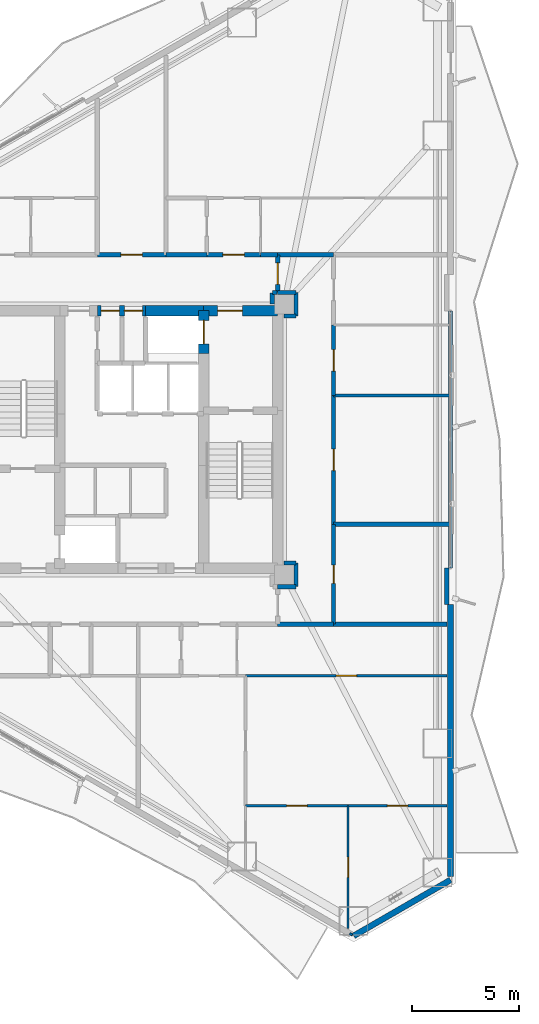
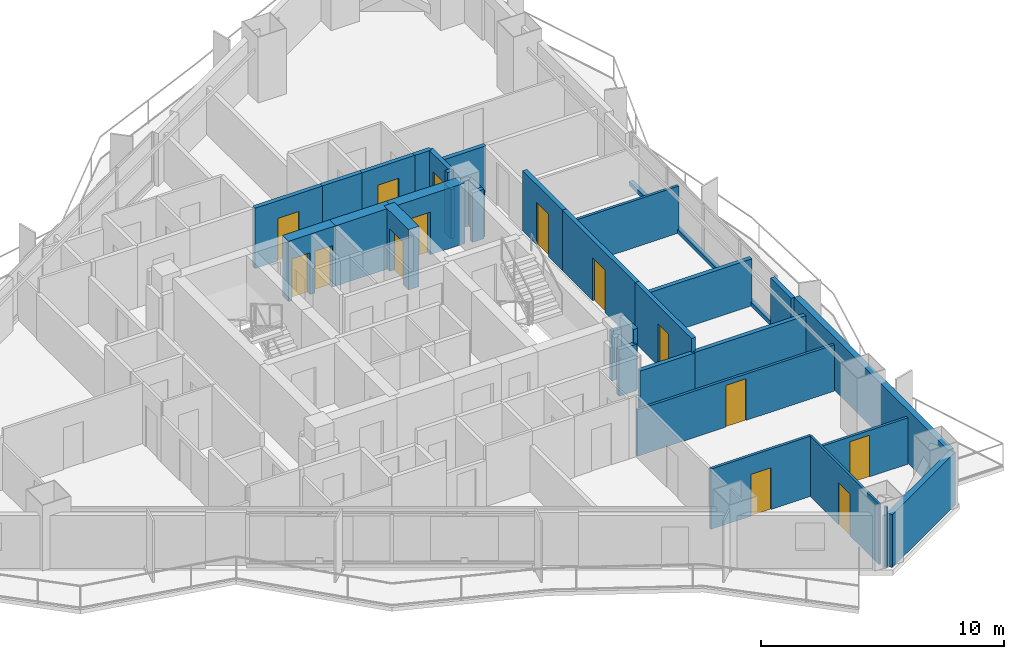
# One storey, part 15 of 19: 34 walls, 14 doors, 14 openings.
"""IFC4 building model written with IfcOpenShell, lengths in metres."""

from ifc_helpers import new_model, si_unit, direction, frame, frame_2d, origin, place, context, subcontext, project, spatial, rectangle, extrude, material, layer, layer_set, type_object, element, fill, save


model = new_model("IFC4")

# Units and contexts
model_context = context("Model", 3, precision=1e-05, world=origin(), true_north=direction((0.0, 1.0)))
body_context = subcontext(model_context, "Body", "Model", "MODEL_VIEW")
ifc_project = project(units=[si_unit("LENGTHUNIT", "METRE"), si_unit("AREAUNIT", "SQUARE_METRE"), si_unit("VOLUMEUNIT", "CUBIC_METRE"), si_unit("PLANEANGLEUNIT", "RADIAN"), si_unit("MASSUNIT", "GRAM", prefix="KILO")], contexts=[model_context])

# Site, building, storey
site_placement = place(None, origin())
site = spatial("IfcSite", under=ifc_project, at=site_placement, CompositionType="ELEMENT")
building_placement = place(site_placement, origin())
building = spatial("IfcBuilding", under=site, at=building_placement, Name="Mersakhor Tower and Convention Hall", CompositionType="ELEMENT")
storey_placement = place(building_placement, frame((0.0, 0.0, 45.60009765625)))
storey = spatial("IfcBuildingStorey", under=building, at=storey_placement, Name="L12", CompositionType="ELEMENT", Elevation=45.60009765625)

# Walls
ifc_material_1 = material(Name="Precast concrete C45/55", Category="concrete")
ifc_layer_1 = layer(ifc_material_1, 0.27490234375)
ifc_layer_set_1 = layer_set([ifc_layer_1], Name="Precast concrete C45/55")
wall_type_1 = type_object("IfcWallType", Name="WL-EXT-275", PredefinedType="SOLIDWALL", material=ifc_layer_set_1)
wall_1_placement = place(storey_placement, frame((43.85009765625, 6.240234375, 0.0), z_axis=(0.0, 0.0, 1.0), x_axis=(-0.866043601342, -0.499968479581, 0.0)))
element("IfcWall", 1, at=wall_1_placement, inside=storey, type_object=wall_type_1, Name="L12 Chamfer Braced Spandrel Wall C2", PredefinedType="SOLIDWALL", context=body_context, shape_type="SweptSolid", body=[
    extrude(rectangle(XDim=5.211181640625, YDim=0.27490234375, at=frame_2d((2.60546875, 0.0))), origin(), (0.0, 0.0, 1.0), 2.659912109375),
])
wall_2_placement = place(storey_placement, frame((43.85009765625, 19.0634765625, 0.0), z_axis=(0.0, 0.0, 1.0), x_axis=(0.0, -1.0, 0.0)))
element("IfcWall", 2, at=wall_2_placement, inside=storey, type_object=wall_type_1, Name="L12 Exterior Facade Wall F2-B3", PredefinedType="SOLIDWALL", context=body_context, shape_type="SweptSolid", body=[
    extrude(rectangle(XDim=12.673095703125, YDim=0.27490234375, at=frame_2d((6.33642578125, 0.0))), origin(), (0.0, 0.0, 1.0), 2.659912109375),
])
ifc_material_2 = material(Name="Precast concrete C40/50", Category="concrete")
ifc_layer_2 = layer(ifc_material_2, 0.199951171875)
ifc_layer_set_2 = layer_set([ifc_layer_2], Name="Precast concrete C40/50")
wall_type_2 = type_object("IfcWallType", Name="WL-PAR-200", PredefinedType="PARAPET", material=ifc_layer_set_2)
wall_3_placement = place(storey_placement, frame((43.85009765625, 32.736572265625, 0.0), z_axis=(0.0, 0.0, 1.0), x_axis=(0.0, -1.0, 0.0)))
element("IfcWall", 3, at=wall_3_placement, inside=storey, type_object=wall_type_2, Name="L12 Curtain Wall Upstand Sill F2-B2", PredefinedType="PARAPET", context=body_context, shape_type="SweptSolid", body=[
    extrude(rectangle(XDim=11.97314453125, YDim=0.199951171875, at=frame_2d((5.986572265625, 0.0))), origin(), (0.0, 0.0, 1.0), 0.199951171875),
])
wall_4_placement = place(storey_placement, frame((43.669921875, 20.763427734375, 0.0), z_axis=(0.0, 0.0, 1.0), x_axis=(0.0, -1.0, 0.0)))
element("IfcWall", 4, at=wall_4_placement, inside=storey, type_object=wall_type_2, Name="L12 Column Pier Cladding Wall F2-C2", PredefinedType="PARAPET", context=body_context, shape_type="SweptSolid", body=[
    extrude(rectangle(XDim=1.699951171875, YDim=0.199951171875, at=frame_2d((0.85009765625, 0.0))), origin(), (0.0, 0.0, 1.0), 2.659912109375),
])

# Wall, opening, door
ifc_material_3 = material(Name="Lightweight gypsum partition", Category="other")
ifc_layer_3 = layer(ifc_material_3, 0.10009765625)
ifc_layer_set_3 = layer_set([ifc_layer_3], Name="Lightweight gypsum partition")
wall_type_3 = type_object("IfcWallType", Name="WL-PRT-100", PredefinedType="PARTITIONING", material=ifc_layer_set_3)
wall_5_placement = place(storey_placement, frame((39.080078125, 9.68994140625, 0.0), z_axis=(0.0, 0.0, 1.0), x_axis=(0.0, -1.0, 0.0)))
wall_5 = element("IfcWall", 5, at=wall_5_placement, inside=storey, type_object=wall_type_3, Name="L12 Interior Partition Wall P-120", PredefinedType="PARTITIONING", context=body_context, shape_type="SweptSolid", body=[
    extrude(rectangle(XDim=5.720458984375, YDim=0.10009765625, at=frame_2d((2.8603515625, 0.0))), origin(), (0.0, 0.0, 1.0), 3.039794921875),
])
opening_1_placement = place(wall_5_placement, frame((2.38525390625, 0.0, 0.0)))
opening_1 = element("IfcOpeningElement", 6, at=opening_1_placement, cuts=wall_5, Name="Opening RD-01", PredefinedType="OPENING", context=body_context, shape_type="SweptSolid", body=[
    extrude(rectangle(XDim=0.949951171875, YDim=2.10009765625, at=frame_2d((0.47509765625, 1.050048828125))), frame((0.0, 0.06005859375, 0.0), z_axis=(0.0, -1.0, 0.0), x_axis=(1.0, 0.0, 0.0)), (0.0, 0.0, 1.0), 0.1201171875),
])
ifc_material_4 = material(Name="Solid-core hardwood leaf in painted steel frame", Category="steel")
door_type_1 = type_object("IfcDoorType", Name="DR-INT-RM-095x210", OperationType="NOTDEFINED", PredefinedType="DOOR", material=ifc_material_4)
door_1_placement = place(opening_1_placement, origin())
door_1 = element("IfcDoor", 7, at=door_1_placement, inside=storey, type_object=door_type_1, Name="L12 L12 Flat S4 Bedroom 1 to L12 Flat S4 Study Room Door", OperationType="SINGLE_SWING_RIGHT", OverallHeight=2.10009765625, OverallWidth=0.949951171875, PredefinedType="DOOR", context=body_context, shape_type="SweptSolid", body=[
    extrude(rectangle(XDim=0.949951171875, YDim=2.10009765625, at=frame_2d((0.47509765625, 1.050048828125))), frame((0.0, 0.02490234375, 0.0), z_axis=(0.0, -1.0, 0.0), x_axis=(1.0, 0.0, 0.0)), (0.0, 0.0, 1.0), 0.050048828125),
])
fill(opening_1, door_1)

# Wall
wall_6_placement = place(storey_placement, frame((39.2724609375, 3.672119140625, 0.0), z_axis=(0.0, 0.0, 1.0), x_axis=(-0.866442544969, 0.49927679324, 0.0)))
element("IfcWall", 8, at=wall_6_placement, inside=storey, type_object=wall_type_3, Name="L12 Interior Partition Wall P-122", PredefinedType="PARTITIONING", context=body_context, shape_type="SweptSolid", body=[
    extrude(rectangle(XDim=0.142333984375, YDim=0.10009765625, at=frame_2d((0.0712890625, 0.0))), origin(), (0.0, 0.0, 1.0), 3.039794921875),
])

# Wall, opening, door
ifc_material_5 = material(Name="Gypsum board acoustic partition", Category="other")
ifc_layer_4 = layer(ifc_material_5, 0.125)
ifc_layer_set_4 = layer_set([ifc_layer_4], Name="Gypsum board acoustic partition")
wall_type_4 = type_object("IfcWallType", Name="WL-PRT-125", PredefinedType="PARTITIONING", material=ifc_layer_set_4)
wall_7_placement = place(storey_placement, frame((43.6884765625, 15.75, 0.0), z_axis=(0.0, 0.0, 1.0), x_axis=(-1.0, 0.0, 0.0)))
wall_7 = element("IfcWall", 9, at=wall_7_placement, inside=storey, type_object=wall_type_4, Name="L12 Interior Partition Wall P-093", PredefinedType="PARTITIONING", context=body_context, shape_type="SweptSolid", body=[
    extrude(rectangle(XDim=9.388427734375, YDim=0.125, at=frame_2d((4.6943359375, 0.0))), origin(), (0.0, 0.0, 1.0), 2.33740234375),
])
opening_2_placement = place(wall_7_placement, frame((4.21923828125, 0.0, 0.0)))
opening_2 = element("IfcOpeningElement", 10, at=opening_2_placement, cuts=wall_7, Name="Opening RD-01", PredefinedType="OPENING", context=body_context, shape_type="SweptSolid", body=[
    extrude(rectangle(XDim=0.949951171875, YDim=2.10009765625, at=frame_2d((0.47509765625, 1.050048828125))), frame((0.0, 0.072509765625, 0.0), z_axis=(0.0, -1.0, 0.0), x_axis=(1.0, 0.0, 0.0)), (0.0, 0.0, 1.0), 0.14501953125),
])
door_2_placement = place(opening_2_placement, origin())
door_2 = element("IfcDoor", 11, at=door_2_placement, inside=storey, type_object=door_type_1, Name="L12 L12 Flat S4 Kitchen to L12 Flat S4 Dining Room Door", OperationType="SINGLE_SWING_RIGHT", OverallHeight=2.10009765625, OverallWidth=0.949951171875, PredefinedType="DOOR", context=body_context, shape_type="SweptSolid", body=[
    extrude(rectangle(XDim=0.949951171875, YDim=2.10009765625, at=frame_2d((0.47509765625, 1.050048828125))), frame((0.0, 0.02490234375, 0.0), z_axis=(0.0, -1.0, 0.0), x_axis=(1.0, 0.0, 0.0)), (0.0, 0.0, 1.0), 0.050048828125),
])
fill(opening_2, door_2)

# Wall
wall_8_placement = place(storey_placement, frame((43.81396484375, 28.800048828125, 0.0), z_axis=(0.0, 0.0, 1.0), x_axis=(-1.0, 0.0, 0.0)))
element("IfcWall", 12, at=wall_8_placement, inside=storey, type_object=wall_type_4, Name="L12 Interior Partition Wall P-107", PredefinedType="PARTITIONING", context=body_context, shape_type="SweptSolid", body=[
    extrude(rectangle(XDim=5.4140625, YDim=0.125, at=frame_2d((2.70703125, 0.0))), origin(), (0.0, 0.0, 1.0), 2.364990234375),
])

# Wall, opening, door
wall_9_placement = place(storey_placement, frame((34.300048828125, 9.68994140625, 0.0), z_axis=(0.0, 0.0, 1.0), x_axis=(1.0, 0.0, 0.0)))
wall_9 = element("IfcWall", 13, at=wall_9_placement, inside=storey, type_object=wall_type_4, Name="L12 Interior Partition Wall P-119", PredefinedType="PARTITIONING", context=body_context, shape_type="SweptSolid", body=[
    extrude(rectangle(XDim=4.780029296875, YDim=0.125, at=frame_2d((2.39013671875, 0.0))), origin(), (0.0, 0.0, 1.0), 3.039794921875),
])
opening_3_placement = place(wall_9_placement, frame((1.9150390625, 0.0, 0.0)))
opening_3 = element("IfcOpeningElement", 14, at=opening_3_placement, cuts=wall_9, Name="Opening RD-01", PredefinedType="OPENING", context=body_context, shape_type="SweptSolid", body=[
    extrude(rectangle(XDim=0.949951171875, YDim=2.10009765625, at=frame_2d((0.47509765625, 1.050048828125))), frame((0.0, 0.072509765625, 0.0), z_axis=(0.0, -1.0, 0.0), x_axis=(1.0, 0.0, 0.0)), (0.0, 0.0, 1.0), 0.14501953125),
])
door_3_placement = place(opening_3_placement, origin())
door_3 = element("IfcDoor", 15, at=door_3_placement, inside=storey, type_object=door_type_1, Name="L12 L12 Flat S4 Bedroom 1 to L12 Flat S4 Dining Room Door", OperationType="SINGLE_SWING_LEFT", OverallHeight=2.10009765625, OverallWidth=0.949951171875, PredefinedType="DOOR", context=body_context, shape_type="SweptSolid", body=[
    extrude(rectangle(XDim=0.949951171875, YDim=2.10009765625, at=frame_2d((0.47509765625, 1.050048828125))), frame((0.0, 0.02490234375, 0.0), z_axis=(0.0, -1.0, 0.0), x_axis=(1.0, 0.0, 0.0)), (0.0, 0.0, 1.0), 0.050048828125),
])
fill(opening_3, door_3)

wall_10_placement = place(storey_placement, frame((39.080078125, 9.68994140625, 0.0), z_axis=(0.0, 0.0, 1.0), x_axis=(1.0, 0.0, 0.0)))
wall_10 = element("IfcWall", 16, at=wall_10_placement, inside=storey, type_object=wall_type_4, Name="L12 Interior Partition Wall P-121", PredefinedType="PARTITIONING", context=body_context, shape_type="SweptSolid", body=[
    extrude(rectangle(XDim=4.6083984375, YDim=0.125, at=frame_2d((2.30419921875, 0.0))), origin(), (0.0, 0.0, 1.0), 2.33740234375),
])
opening_4_placement = place(wall_10_placement, frame((1.8291015625, 0.0, 0.0)))
opening_4 = element("IfcOpeningElement", 17, at=opening_4_placement, cuts=wall_10, Name="Opening RD-01", PredefinedType="OPENING", context=body_context, shape_type="SweptSolid", body=[
    extrude(rectangle(XDim=0.949951171875, YDim=2.10009765625, at=frame_2d((0.47509765625, 1.050048828125))), frame((0.0, 0.072509765625, 0.0), z_axis=(0.0, -1.0, 0.0), x_axis=(1.0, 0.0, 0.0)), (0.0, 0.0, 1.0), 0.14501953125),
])
door_4_placement = place(opening_4_placement, origin())
door_4 = element("IfcDoor", 18, at=door_4_placement, inside=storey, type_object=door_type_1, Name="L12 L12 Flat S4 Study Room to L12 Flat S4 Dining Room Door", OperationType="SINGLE_SWING_RIGHT", OverallHeight=2.10009765625, OverallWidth=0.949951171875, PredefinedType="DOOR", context=body_context, shape_type="SweptSolid", body=[
    extrude(rectangle(XDim=0.949951171875, YDim=2.10009765625, at=frame_2d((0.47509765625, 1.050048828125))), frame((0.0, 0.02490234375, 0.0), z_axis=(0.0, -1.0, 0.0), x_axis=(1.0, 0.0, 0.0)), (0.0, 0.0, 1.0), 0.050048828125),
])
fill(opening_4, door_4)

ifc_material_6 = material(Name="Acoustic concrete blockwork and gypsum board", Category="masonry")
ifc_layer_5 = layer(ifc_material_6, 0.199951171875)
ifc_layer_set_5 = layer_set([ifc_layer_5], Name="Acoustic concrete blockwork and gypsum board")
wall_type_5 = type_object("IfcWallType", Name="WL-PRT-200", PredefinedType="PARTITIONING", material=ifc_layer_set_5)
wall_11_placement = place(storey_placement, frame((27.39990234375, 35.35009765625, 0.0), z_axis=(0.0, 0.0, 1.0), x_axis=(1.0, 0.0, 0.0)))
wall_11 = element("IfcWall", 19, at=wall_11_placement, inside=storey, type_object=wall_type_5, Name="L12 Interior Partition Wall P-041", PredefinedType="PARTITIONING", context=body_context, shape_type="SweptSolid", body=[
    extrude(rectangle(XDim=3.2001953125, YDim=0.199951171875, at=frame_2d((1.60009765625, 0.0))), origin(), (0.0, 0.0, 1.0), 3.039794921875),
])
opening_5_placement = place(wall_11_placement, frame((1.10009765625, 0.0, 0.0)))
opening_5 = element("IfcOpeningElement", 20, at=opening_5_placement, cuts=wall_11, Name="Opening FD-01", PredefinedType="OPENING", context=body_context, shape_type="SweptSolid", body=[
    extrude(rectangle(XDim=1.0, YDim=2.14990234375, at=frame_2d((0.5, 1.074951171875))), frame((0.0, 0.10986328125, 0.0), z_axis=(0.0, -1.0, 0.0), x_axis=(1.0, 0.0, 0.0)), (0.0, 0.0, 1.0), 0.219970703125),
])
ifc_material_7 = material(Name="Fire-rated hardwood leaf and painted steel frame", Category="steel")
door_type_2 = type_object("IfcDoorType", Name="DR-INT-FLT-100x215", OperationType="NOTDEFINED", PredefinedType="DOOR", material=ifc_material_7)
door_5_placement = place(opening_5_placement, origin())
door_5 = element("IfcDoor", 21, at=door_5_placement, inside=storey, type_object=door_type_2, Name="L12 Residential Ring Corridor to L12 North Wing Quiet Study Room Door", OperationType="SINGLE_SWING_LEFT", OverallHeight=2.14990234375, OverallWidth=1.0, PredefinedType="DOOR", context=body_context, shape_type="SweptSolid", body=[
    extrude(rectangle(XDim=1.0, YDim=2.14990234375, at=frame_2d((0.5, 1.074951171875))), frame((0.0, 0.02490234375, 0.0), z_axis=(0.0, -1.0, 0.0), x_axis=(1.0, 0.0, 0.0)), (0.0, 0.0, 1.0), 0.050048828125),
])
fill(opening_5, door_5)

# Wall
wall_12_placement = place(storey_placement, frame((30.60009765625, 35.35009765625, 0.0), z_axis=(0.0, 0.0, 1.0), x_axis=(1.0, 0.0, 0.0)))
element("IfcWall", 22, at=wall_12_placement, inside=storey, type_object=wall_type_5, Name="L12 Interior Partition Wall P-042", PredefinedType="PARTITIONING", context=body_context, shape_type="SweptSolid", body=[
    extrude(rectangle(XDim=1.89990234375, YDim=0.199951171875, at=frame_2d((0.949951171875, 0.0))), origin(), (0.0, 0.0, 1.0), 3.039794921875),
])

# Wall, opening, door
wall_13_placement = place(storey_placement, frame((32.5, 35.35009765625, 0.0), z_axis=(0.0, 0.0, 1.0), x_axis=(1.0, 0.0, 0.0)))
wall_13 = element("IfcWall", 23, at=wall_13_placement, inside=storey, type_object=wall_type_5, Name="L12 Interior Partition Wall P-043", PredefinedType="PARTITIONING", context=body_context, shape_type="SweptSolid", body=[
    extrude(rectangle(XDim=2.5, YDim=0.199951171875, at=frame_2d((1.25, 0.0))), origin(), (0.0, 0.0, 1.0), 3.039794921875),
])
opening_6_placement = place(wall_13_placement, frame((0.75, 0.0, 0.0)))
opening_6 = element("IfcOpeningElement", 24, at=opening_6_placement, cuts=wall_13, Name="Opening FD-01", PredefinedType="OPENING", context=body_context, shape_type="SweptSolid", body=[
    extrude(rectangle(XDim=1.0, YDim=2.14990234375, at=frame_2d((0.5, 1.074951171875))), frame((0.0, 0.10986328125, 0.0), z_axis=(0.0, -1.0, 0.0), x_axis=(1.0, 0.0, 0.0)), (0.0, 0.0, 1.0), 0.219970703125),
])
door_6_placement = place(opening_6_placement, origin())
door_6 = element("IfcDoor", 25, at=door_6_placement, inside=storey, type_object=door_type_2, Name="L12 Apartment Entrance Door (Residential Ring Corridor to L12 Flat N2 Apartment Hall)", OperationType="SINGLE_SWING_LEFT", OverallHeight=2.14990234375, OverallWidth=1.0, PredefinedType="DOOR", context=body_context, shape_type="SweptSolid", body=[
    extrude(rectangle(XDim=1.0, YDim=2.14990234375, at=frame_2d((0.5, 1.074951171875))), frame((0.0, 0.02490234375, 0.0), z_axis=(0.0, -1.0, 0.0), x_axis=(1.0, 0.0, 0.0)), (0.0, 0.0, 1.0), 0.050048828125),
])
fill(opening_6, door_6)

# Wall
wall_14_placement = place(storey_placement, frame((35.0, 35.35009765625, 0.0), z_axis=(0.0, 0.0, 1.0), x_axis=(1.0, 0.0, 0.0)))
element("IfcWall", 26, at=wall_14_placement, inside=storey, type_object=wall_type_5, Name="L12 Interior Partition Wall P-044", PredefinedType="PARTITIONING", context=body_context, shape_type="SweptSolid", body=[
    extrude(rectangle(XDim=0.800048828125, YDim=0.199951171875, at=frame_2d((0.39990234375, 0.0))), origin(), (0.0, 0.0, 1.0), 3.039794921875),
])

# Wall, opening, door
wall_15_placement = place(storey_placement, frame((35.800048828125, 35.35009765625, 0.0), z_axis=(0.0, 0.0, 1.0), x_axis=(0.0, -1.0, 0.0)))
wall_15 = element("IfcWall", 27, at=wall_15_placement, inside=storey, type_object=wall_type_5, Name="L12 Interior Partition Wall P-045", PredefinedType="PARTITIONING", context=body_context, shape_type="SweptSolid", body=[
    extrude(rectangle(XDim=1.75, YDim=0.199951171875, at=frame_2d((0.875, 0.0))), origin(), (0.0, 0.0, 1.0), 3.039794921875),
])
opening_7_placement = place(wall_15_placement, frame((0.375, 0.0, 0.0)))
opening_7 = element("IfcOpeningElement", 28, at=opening_7_placement, cuts=wall_15, Name="Opening FD-01", PredefinedType="OPENING", context=body_context, shape_type="SweptSolid", body=[
    extrude(rectangle(XDim=1.0, YDim=2.14990234375, at=frame_2d((0.5, 1.074951171875))), frame((0.0, 0.10986328125, 0.0), z_axis=(0.0, -1.0, 0.0), x_axis=(1.0, 0.0, 0.0)), (0.0, 0.0, 1.0), 0.219970703125),
])
door_7_placement = place(opening_7_placement, origin())
door_7 = element("IfcDoor", 29, at=door_7_placement, inside=storey, type_object=door_type_2, Name="L12 Ring Corridor Fire Door", OperationType="SINGLE_SWING_LEFT", OverallHeight=2.14990234375, OverallWidth=1.0, PredefinedType="DOOR", context=body_context, shape_type="SweptSolid", body=[
    extrude(rectangle(XDim=1.0, YDim=2.14990234375, at=frame_2d((0.5, 1.074951171875))), frame((0.0, 0.02490234375, 0.0), z_axis=(0.0, -1.0, 0.0), x_axis=(1.0, 0.0, 0.0)), (0.0, 0.0, 1.0), 0.050048828125),
])
fill(opening_7, door_7)

# Walls
wall_16_placement = place(storey_placement, frame((35.77001953125, 33.60009765625, 0.0), z_axis=(0.0, 0.0, 1.0), x_axis=(-1.0, 0.0, 0.0)))
element("IfcWall", 30, at=wall_16_placement, inside=storey, type_object=wall_type_5, Name="L12 Interior Partition Wall P-046", PredefinedType="PARTITIONING", context=body_context, shape_type="SweptSolid", body=[
    extrude(rectangle(XDim=0.219970703125, YDim=0.199951171875, at=frame_2d((0.10986328125, 0.0))), origin(), (0.0, 0.0, 1.0), 3.039794921875),
])
wall_17_placement = place(storey_placement, frame((35.550048828125, 33.570068359375, 0.0), z_axis=(0.0, 0.0, 1.0), x_axis=(0.0, -1.0, 0.0)))
element("IfcWall", 31, at=wall_17_placement, inside=storey, type_object=wall_type_5, Name="L12 Interior Partition Wall P-047", PredefinedType="PARTITIONING", context=body_context, shape_type="SweptSolid", body=[
    extrude(rectangle(XDim=0.52001953125, YDim=0.199951171875, at=frame_2d((0.260009765625, 0.0))), origin(), (0.0, 0.0, 1.0), 2.48828125),
])
for number, where, z_axis, x_axis, name in (
    (32, (36.64990234375, 21.0, 0.0), (0.0, 0.0, 1.0), (-1.0, 0.0, 0.0), "L12 Interior Partition Wall P-054"),
    (33, (36.10009765625, 32.5, 0.0), (0.0, 0.0, 1.0), (1.0, 0.0, 0.0), "L12 Interior Partition Wall P-055"),
):
    element("IfcWall", number, at=place(storey_placement, frame(where, z_axis=z_axis, x_axis=x_axis)), inside=storey, type_object=wall_type_5, Name=name, PredefinedType="PARTITIONING", context=body_context, shape_type="SweptSolid", body=[
        extrude(rectangle(XDim=0.5498046875, YDim=0.199951171875, at=frame_2d((0.27490234375, 0.0))), origin(), (0.0, 0.0, 1.0), 2.48828125),
    ])
wall_18_placement = place(storey_placement, frame((36.64990234375, 32.5, 0.0), z_axis=(0.0, 0.0, 1.0), x_axis=(0.0, 1.0, 0.0)))
element("IfcWall", 34, at=wall_18_placement, inside=storey, type_object=wall_type_5, Name="L12 Interior Partition Wall P-056", PredefinedType="PARTITIONING", context=body_context, shape_type="SweptSolid", body=[
    extrude(rectangle(XDim=1.10009765625, YDim=0.199951171875, at=frame_2d((0.550048828125, 0.0))), origin(), (0.0, 0.0, 1.0), 2.33740234375),
])
wall_19_placement = place(storey_placement, frame((36.64990234375, 33.60009765625, 0.0), z_axis=(0.0, 0.0, 1.0), x_axis=(-1.0, 0.0, 0.0)))
element("IfcWall", 35, at=wall_19_placement, inside=storey, type_object=wall_type_5, Name="L12 Interior Partition Wall P-057", PredefinedType="PARTITIONING", context=body_context, shape_type="SweptSolid", body=[
    extrude(rectangle(XDim=0.849853515625, YDim=0.199951171875, at=frame_2d((0.4248046875, 0.0))), origin(), (0.0, 0.0, 1.0), 2.33740234375),
])
wall_20_placement = place(storey_placement, frame((35.800048828125, 35.35009765625, 0.0), z_axis=(0.0, 0.0, 1.0), x_axis=(1.0, 0.0, 0.0)))
element("IfcWall", 36, at=wall_20_placement, inside=storey, type_object=wall_type_5, Name="L12 Interior Partition Wall P-058", PredefinedType="PARTITIONING", context=body_context, shape_type="SweptSolid", body=[
    extrude(rectangle(XDim=2.599853515625, YDim=0.199951171875, at=frame_2d((1.2998046875, 0.0))), origin(), (0.0, 0.0, 1.0), 2.33740234375),
])

# Wall, opening, door
wall_21_placement = place(storey_placement, frame((38.39990234375, 32.080078125, 0.0), z_axis=(0.0, 0.0, 1.0), x_axis=(0.0, -1.0, 0.0)))
wall_21 = element("IfcWall", 37, at=wall_21_placement, inside=storey, type_object=wall_type_5, Name="L12 Interior Partition Wall P-060", PredefinedType="PARTITIONING", context=body_context, shape_type="SweptSolid", body=[
    extrude(rectangle(XDim=3.280029296875, YDim=0.199951171875, at=frame_2d((1.64013671875, 0.0))), origin(), (0.0, 0.0, 1.0), 3.039794921875),
])
opening_8_placement = place(wall_21_placement, frame((1.139892578125, 0.0, 0.0)))
opening_8 = element("IfcOpeningElement", 38, at=opening_8_placement, cuts=wall_21, Name="Opening FD-01", PredefinedType="OPENING", context=body_context, shape_type="SweptSolid", body=[
    extrude(rectangle(XDim=1.0, YDim=2.14990234375, at=frame_2d((0.5, 1.074951171875))), frame((0.0, 0.10986328125, 0.0), z_axis=(0.0, -1.0, 0.0), x_axis=(1.0, 0.0, 0.0)), (0.0, 0.0, 1.0), 0.219970703125),
])
door_8_placement = place(opening_8_placement, origin())
door_8 = element("IfcDoor", 39, at=door_8_placement, inside=storey, type_object=door_type_2, Name="L12 Residential Ring East Corridor to L12 East Wing Shared Study Room Door", OperationType="SINGLE_SWING_RIGHT", OverallHeight=2.14990234375, OverallWidth=1.0, PredefinedType="DOOR", context=body_context, shape_type="SweptSolid", body=[
    extrude(rectangle(XDim=1.0, YDim=2.14990234375, at=frame_2d((0.5, 1.074951171875))), frame((0.0, 0.02490234375, 0.0), z_axis=(0.0, -1.0, 0.0), x_axis=(1.0, 0.0, 0.0)), (0.0, 0.0, 1.0), 0.050048828125),
])
fill(opening_8, door_8)

wall_22_placement = place(storey_placement, frame((38.39990234375, 28.800048828125, 0.0), z_axis=(0.0, 0.0, 1.0), x_axis=(0.0, -1.0, 0.0)))
wall_22 = element("IfcWall", 40, at=wall_22_placement, inside=storey, type_object=wall_type_5, Name="L12 Interior Partition Wall P-061", PredefinedType="PARTITIONING", context=body_context, shape_type="SweptSolid", body=[
    extrude(rectangle(XDim=6.0, YDim=0.199951171875, at=frame_2d((3.0, 0.0))), origin(), (0.0, 0.0, 1.0), 3.039794921875),
])
opening_9_placement = place(wall_22_placement, frame((2.5, 0.0, 0.0)))
opening_9 = element("IfcOpeningElement", 41, at=opening_9_placement, cuts=wall_22, Name="Opening FD-01", PredefinedType="OPENING", context=body_context, shape_type="SweptSolid", body=[
    extrude(rectangle(XDim=1.0, YDim=2.14990234375, at=frame_2d((0.5, 1.074951171875))), frame((0.0, 0.10986328125, 0.0), z_axis=(0.0, -1.0, 0.0), x_axis=(1.0, 0.0, 0.0)), (0.0, 0.0, 1.0), 0.219970703125),
])
door_9_placement = place(opening_9_placement, origin())
door_9 = element("IfcDoor", 42, at=door_9_placement, inside=storey, type_object=door_type_2, Name="L12 Residential Ring East Corridor to L12 East Wing Residents Tea Lounge Door", OperationType="SINGLE_SWING_RIGHT", OverallHeight=2.14990234375, OverallWidth=1.0, PredefinedType="DOOR", context=body_context, shape_type="SweptSolid", body=[
    extrude(rectangle(XDim=1.0, YDim=2.14990234375, at=frame_2d((0.5, 1.074951171875))), frame((0.0, 0.02490234375, 0.0), z_axis=(0.0, -1.0, 0.0), x_axis=(1.0, 0.0, 0.0)), (0.0, 0.0, 1.0), 0.050048828125),
])
fill(opening_9, door_9)

wall_23_placement = place(storey_placement, frame((38.39990234375, 22.800048828125, 0.0), z_axis=(0.0, 0.0, 1.0), x_axis=(0.0, -1.0, 0.0)))
wall_23 = element("IfcWall", 43, at=wall_23_placement, inside=storey, type_object=wall_type_5, Name="L12 Interior Partition Wall P-062", PredefinedType="PARTITIONING", context=body_context, shape_type="SweptSolid", body=[
    extrude(rectangle(XDim=4.650146484375, YDim=0.199951171875, at=frame_2d((2.3251953125, 0.0))), origin(), (0.0, 0.0, 1.0), 3.039794921875),
])
opening_10_placement = place(wall_23_placement, frame((1.89990234375, 0.0, 0.0)))
opening_10 = element("IfcOpeningElement", 44, at=opening_10_placement, cuts=wall_23, Name="Opening SVD-01", PredefinedType="OPENING", context=body_context, shape_type="SweptSolid", body=[
    extrude(rectangle(XDim=0.85009765625, YDim=2.10009765625, at=frame_2d((0.425048828125, 1.050048828125))), frame((0.0, 0.10986328125, 0.0), z_axis=(0.0, -1.0, 0.0), x_axis=(1.0, 0.0, 0.0)), (0.0, 0.0, 1.0), 0.219970703125),
])
ifc_material_8 = material(Name="Fire-rated hardwood leaf and painted steel frame", Category="steel")
door_type_3 = type_object("IfcDoorType", Name="DR-INT-SVC-085x210", OperationType="NOTDEFINED", PredefinedType="DOOR", material=ifc_material_8)
door_10_placement = place(opening_10_placement, origin())
door_10 = element("IfcDoor", 45, at=door_10_placement, inside=storey, type_object=door_type_3, Name="L12 Residential Ring East Corridor to L12 East Wing Pram and Cycle Store Room Door", OperationType="SINGLE_SWING_LEFT", OverallHeight=2.10009765625, OverallWidth=0.85009765625, PredefinedType="DOOR", context=body_context, shape_type="SweptSolid", body=[
    extrude(rectangle(XDim=0.85009765625, YDim=2.10009765625, at=frame_2d((0.425048828125, 1.050048828125))), frame((0.0, 0.02490234375, 0.0), z_axis=(0.0, -1.0, 0.0), x_axis=(1.0, 0.0, 0.0)), (0.0, 0.0, 1.0), 0.050048828125),
])
fill(opening_10, door_10)

# Walls
wall_24_placement = place(storey_placement, frame((38.39990234375, 18.14990234375, 0.0), z_axis=(0.0, 0.0, 1.0), x_axis=(-1.0, 0.0, 0.0)))
element("IfcWall", 46, at=wall_24_placement, inside=storey, type_object=wall_type_5, Name="L12 Interior Partition Wall P-063", PredefinedType="PARTITIONING", context=body_context, shape_type="SweptSolid", body=[
    extrude(rectangle(XDim=2.599853515625, YDim=0.199951171875, at=frame_2d((1.2998046875, 0.0))), origin(), (0.0, 0.0, 1.0), 2.33740234375),
])
wall_25_placement = place(storey_placement, frame((35.800048828125, 19.89990234375, 0.0), z_axis=(0.0, 0.0, 1.0), x_axis=(1.0, 0.0, 0.0)))
element("IfcWall", 47, at=wall_25_placement, inside=storey, type_object=wall_type_5, Name="L12 Interior Partition Wall P-064", PredefinedType="PARTITIONING", context=body_context, shape_type="SweptSolid", body=[
    extrude(rectangle(XDim=0.849853515625, YDim=0.199951171875, at=frame_2d((0.4248046875, 0.0))), origin(), (0.0, 0.0, 1.0), 2.33740234375),
])
wall_26_placement = place(storey_placement, frame((36.64990234375, 19.89990234375, 0.0), z_axis=(0.0, 0.0, 1.0), x_axis=(0.0, 1.0, 0.0)))
element("IfcWall", 48, at=wall_26_placement, inside=storey, type_object=wall_type_5, Name="L12 Interior Partition Wall P-065", PredefinedType="PARTITIONING", context=body_context, shape_type="SweptSolid", body=[
    extrude(rectangle(XDim=1.10009765625, YDim=0.199951171875, at=frame_2d((0.550048828125, 0.0))), origin(), (0.0, 0.0, 1.0), 3.039794921875),
])
wall_27_placement = place(storey_placement, frame((38.39990234375, 18.14990234375, 0.0), z_axis=(0.0, 0.0, 1.0), x_axis=(1.0, 0.0, 0.0)))
element("IfcWall", 49, at=wall_27_placement, inside=storey, type_object=wall_type_5, Name="L12 Interior Partition Wall P-092", PredefinedType="PARTITIONING", context=body_context, shape_type="SweptSolid", body=[
    extrude(rectangle(XDim=5.28857421875, YDim=0.199951171875, at=frame_2d((2.644287109375, 0.0))), origin(), (0.0, 0.0, 1.0), 2.364990234375),
])
wall_28_placement = place(storey_placement, frame((43.81396484375, 22.800048828125, 0.0), z_axis=(0.0, 0.0, 1.0), x_axis=(-1.0, 0.0, 0.0)))
element("IfcWall", 50, at=wall_28_placement, inside=storey, type_object=wall_type_5, Name="L12 Interior Partition Wall P-108", PredefinedType="PARTITIONING", context=body_context, shape_type="SweptSolid", body=[
    extrude(rectangle(XDim=5.4140625, YDim=0.199951171875, at=frame_2d((2.70703125, 0.0))), origin(), (0.0, 0.0, 1.0), 2.364990234375),
])

# Wall, openings, doors
ifc_material_9 = material(Name="Concrete C70/85", Category="concrete")
ifc_layer_6 = layer(ifc_material_9, 0.5)
ifc_layer_set_6 = layer_set([ifc_layer_6], Name="Concrete C70/85")
wall_type_6 = type_object("IfcWallType", Name="WL-SHR-500", PredefinedType="SHEAR", material=ifc_layer_set_6)
wall_29_placement = place(storey_placement, frame((27.39990234375, 32.75, 0.0), z_axis=(0.0, 0.0, 1.0), x_axis=(1.0, 0.0, 0.0)))
wall_29 = element("IfcWall", 51, at=wall_29_placement, inside=storey, type_object=wall_type_6, Name="L12 Core Wall CW-N2B", PredefinedType="SHEAR", context=body_context, shape_type="SweptSolid", body=[
    extrude(rectangle(XDim=2.25, YDim=0.5, at=frame_2d((1.125, 0.0))), origin(), (0.0, 0.0, 1.0), 3.039794921875),
])
opening_11_placement = place(wall_29_placement, frame((0.169921875, 0.0, 0.0)))
opening_11 = element("IfcOpeningElement", 52, at=opening_11_placement, cuts=wall_29, Name="Opening SVD-01", PredefinedType="OPENING", context=body_context, shape_type="SweptSolid", body=[
    extrude(rectangle(XDim=0.85009765625, YDim=2.10009765625, at=frame_2d((0.425048828125, 1.050048828125))), frame((0.0, 0.260009765625, 0.0), z_axis=(0.0, -1.0, 0.0), x_axis=(1.0, 0.0, 0.0)), (0.0, 0.0, 1.0), 0.52001953125),
])
opening_12_placement = place(wall_29_placement, frame((1.2548828125, 0.0, 0.0)))
opening_12 = element("IfcOpeningElement", 53, at=opening_12_placement, cuts=wall_29, Name="Opening SVD-01", PredefinedType="OPENING", context=body_context, shape_type="SweptSolid", body=[
    extrude(rectangle(XDim=0.85009765625, YDim=2.10009765625, at=frame_2d((0.425048828125, 1.050048828125))), frame((0.0, 0.260009765625, 0.0), z_axis=(0.0, -1.0, 0.0), x_axis=(1.0, 0.0, 0.0)), (0.0, 0.0, 1.0), 0.52001953125),
])
door_11_placement = place(opening_11_placement, origin())
door_11 = element("IfcDoor", 54, at=door_11_placement, inside=storey, type_object=door_type_3, Name="L12 Residential Ring Corridor to Telecoms Distribution Room Door", OperationType="SINGLE_SWING_LEFT", OverallHeight=2.10009765625, OverallWidth=0.85009765625, PredefinedType="DOOR", context=body_context, shape_type="SweptSolid", body=[
    extrude(rectangle(XDim=0.85009765625, YDim=2.10009765625, at=frame_2d((0.425048828125, 1.050048828125))), frame((0.0, 0.02490234375, 0.0), z_axis=(0.0, -1.0, 0.0), x_axis=(1.0, 0.0, 0.0)), (0.0, 0.0, 1.0), 0.050048828125),
])
fill(opening_11, door_11)
door_12_placement = place(opening_12_placement, origin())
door_12 = element("IfcDoor", 55, at=door_12_placement, inside=storey, type_object=door_type_3, Name="L12 Residential Ring Corridor to Floor Housekeeping Store Room Door", OperationType="SINGLE_SWING_RIGHT", OverallHeight=2.10009765625, OverallWidth=0.85009765625, PredefinedType="DOOR", context=body_context, shape_type="SweptSolid", body=[
    extrude(rectangle(XDim=0.85009765625, YDim=2.10009765625, at=frame_2d((0.425048828125, 1.050048828125))), frame((0.0, 0.02490234375, 0.0), z_axis=(0.0, -1.0, 0.0), x_axis=(1.0, 0.0, 0.0)), (0.0, 0.0, 1.0), 0.050048828125),
])
fill(opening_12, door_12)

# Wall
wall_30_placement = place(storey_placement, frame((29.64990234375, 32.75, 0.0), z_axis=(0.0, 0.0, 1.0), x_axis=(1.0, 0.0, 0.0)))
element("IfcWall", 56, at=wall_30_placement, inside=storey, type_object=wall_type_6, Name="L12 Core Wall CW-N3", PredefinedType="SHEAR", context=body_context, shape_type="SweptSolid", body=[
    extrude(rectangle(XDim=2.7001953125, YDim=0.5, at=frame_2d((1.35009765625, 0.0))), origin(), (0.0, 0.0, 1.0), 3.039794921875),
])

# Wall, opening, door
wall_31_placement = place(storey_placement, frame((32.35009765625, 32.75, 0.0), z_axis=(0.0, 0.0, 1.0), x_axis=(1.0, 0.0, 0.0)))
wall_31 = element("IfcWall", 57, at=wall_31_placement, inside=storey, type_object=wall_type_6, Name="L12 Core Wall CW-N4", PredefinedType="SHEAR", context=body_context, shape_type="SweptSolid", body=[
    extrude(rectangle(XDim=3.449951171875, YDim=0.5, at=frame_2d((1.72509765625, 0.0))), origin(), (0.0, 0.0, 1.0), 3.039794921875),
])
opening_13_placement = place(wall_31_placement, frame((0.64990234375, 0.0, 0.0)))
opening_13 = element("IfcOpeningElement", 58, at=opening_13_placement, cuts=wall_31, Name="Opening SD-01", PredefinedType="OPENING", context=body_context, shape_type="SweptSolid", body=[
    extrude(rectangle(XDim=1.14990234375, YDim=2.14990234375, at=frame_2d((0.574951171875, 1.074951171875))), frame((0.0, 0.260009765625, 0.0), z_axis=(0.0, -1.0, 0.0), x_axis=(1.0, 0.0, 0.0)), (0.0, 0.0, 1.0), 0.52001953125),
])
ifc_material_10 = material(Name="Fire-rated hardwood leaf and painted steel frame", Category="steel")
door_type_4 = type_object("IfcDoorType", Name="DR-INT-STAIR-115x215", OperationType="NOTDEFINED", PredefinedType="DOOR", material=ifc_material_10)
door_13_placement = place(opening_13_placement, origin())
door_13 = element("IfcDoor", 59, at=door_13_placement, inside=storey, type_object=door_type_4, Name="L12 Firefighting Lobby East Fire Door", OperationType="SINGLE_SWING_RIGHT", OverallHeight=2.14990234375, OverallWidth=1.14990234375, PredefinedType="DOOR", context=body_context, shape_type="SweptSolid", body=[
    extrude(rectangle(XDim=1.14990234375, YDim=2.14990234375, at=frame_2d((0.574951171875, 1.074951171875))), frame((0.0, 0.02490234375, 0.0), z_axis=(0.0, -1.0, 0.0), x_axis=(1.0, 0.0, 0.0)), (0.0, 0.0, 1.0), 0.050048828125),
])
fill(opening_13, door_13)

wall_32_placement = place(storey_placement, frame((32.35009765625, 30.75, 0.0), z_axis=(0.0, 0.0, 1.0), x_axis=(0.0, 1.0, 0.0)))
wall_32 = element("IfcWall", 60, at=wall_32_placement, inside=storey, type_object=wall_type_6, Name="L12 Core Wall CS-E-FFL", PredefinedType="SHEAR", context=body_context, shape_type="SweptSolid", body=[
    extrude(rectangle(XDim=2.0, YDim=0.5, at=frame_2d((1.0, 0.0))), origin(), (0.0, 0.0, 1.0), 3.039794921875),
])
opening_14_placement = place(wall_32_placement, frame((0.449951171875, 0.0, 0.0)))
opening_14 = element("IfcOpeningElement", 61, at=opening_14_placement, cuts=wall_32, Name="Opening LD-FFL2", PredefinedType="OPENING", context=body_context, shape_type="SweptSolid", body=[
    extrude(rectangle(XDim=1.10009765625, YDim=2.14990234375, at=frame_2d((0.550048828125, 1.074951171875))), frame((0.0, 0.260009765625, 0.0), z_axis=(0.0, -1.0, 0.0), x_axis=(1.0, 0.0, 0.0)), (0.0, 0.0, 1.0), 0.52001953125),
])
ifc_material_11 = material(Name="Fire-rated brushed stainless steel sliding landing door", Category="steel")
door_type_5 = type_object("IfcDoorType", Name="DR-LIFT-SLD-110x215", OperationType="NOTDEFINED", PredefinedType="DOOR", material=ifc_material_11)
door_14_placement = place(opening_14_placement, origin())
door_14 = element("IfcDoor", 62, at=door_14_placement, inside=storey, type_object=door_type_5, Name="L12 Firefighting Lift Landing Door LD-FFL2", OperationType="SLIDING_TO_LEFT", OverallHeight=2.14990234375, OverallWidth=1.10009765625, PredefinedType="DOOR", context=body_context, shape_type="SweptSolid", body=[
    extrude(rectangle(XDim=1.10009765625, YDim=2.14990234375, at=frame_2d((0.550048828125, 1.074951171875))), frame((0.0, 0.02490234375, 0.0), z_axis=(0.0, -1.0, 0.0), x_axis=(1.0, 0.0, 0.0)), (0.0, 0.0, 1.0), 0.050048828125),
])
fill(opening_14, door_14)

save(model, "model.ifc")
